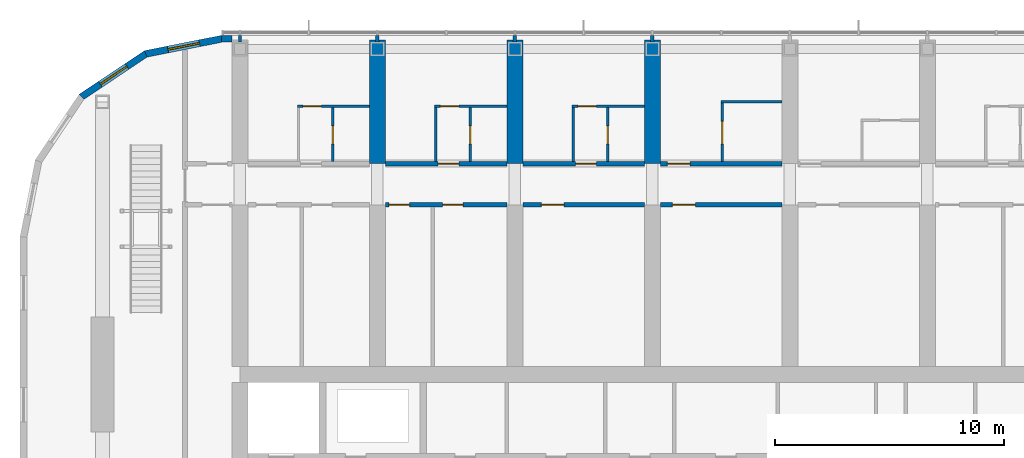
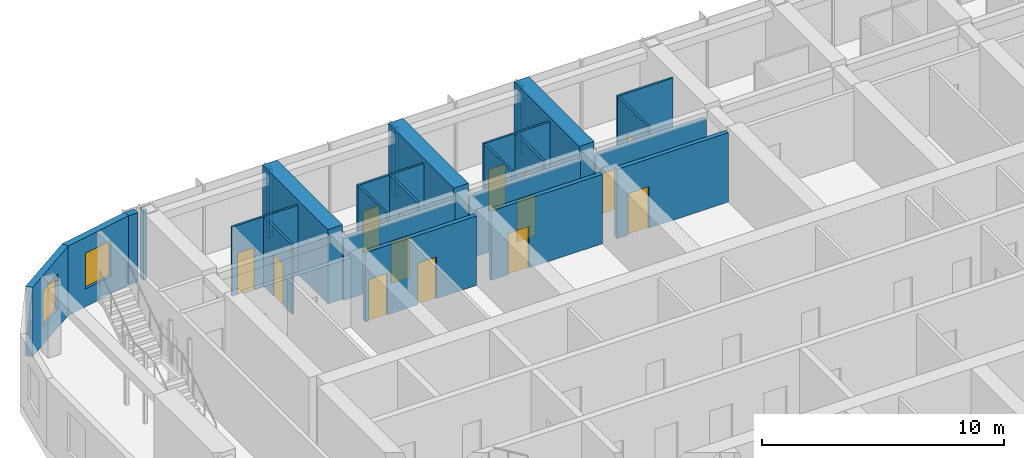
# One storey, part 18 of 27: 26 walls, 14 doors, 2 windows, 16 openings.
"""IFC4 building model written with IfcOpenShell, lengths in metres."""

import ifcopenshell
import ifcopenshell.guid

model = None  # the IFC model being written
_history = None  # IfcOwnerHistory: only IFC2X3 demands one
_inside = {}  # id of a spatial element -> (the spatial element, [elements in it])
_under = {}  # id of a project, library or spatial element -> (it, [spatial elements below it])
_declared = {}  # id of a project -> (the project, [libraries it declares])
_typed = {}  # id of a type object -> (the type object, [elements of that type])
_made_of = {}  # id of a material, layer set ... -> (it, [elements and type objects made of it])


def new_model(schema):
    """Start an empty IFC model of exactly this schema.

    Asked for "IFC4X3", IfcOpenShell would pick the latest addendum, in which some entities
    have other attributes; the version numbers below select the first issue.
    IFC2X3 requires an IfcOwnerHistory on every rooted entity: one is made here for all.
    """
    global model, _history
    if schema == "IFC4X3":
        model = ifcopenshell.file(schema_version=(4, 3, 0, 0))
    else:
        model = ifcopenshell.file(schema=schema)
    _inside.clear()
    _under.clear()
    _declared.clear()
    _typed.clear()
    _made_of.clear()
    _history = None
    if model.schema == "IFC2X3":
        org = make("IfcOrganization", Name="unknown")
        user = make(
            "IfcPersonAndOrganization",
            ThePerson=make("IfcPerson", FamilyName="unknown"),
            TheOrganization=org,
        )
        app = make(
            "IfcApplication",
            ApplicationDeveloper=org,
            Version="unknown",
            ApplicationFullName="unknown",
            ApplicationIdentifier="unknown",
        )
        _history = make(
            "IfcOwnerHistory",
            OwningUser=user,
            OwningApplication=app,
            ChangeAction="ADDED",
            CreationDate=0,
        )
    return model


def make(cls, **values):
    """One entity of the class cls with the attributes given. An attribute that is None is left unset."""
    return model.create_entity(
        cls, **{name: value for name, value in values.items() if value is not None}
    )


def rooted(cls, **values):
    """An entity with a GlobalId (a new one), such as an element, a storey or a relation."""
    return make(cls, GlobalId=ifcopenshell.guid.new(), OwnerHistory=_history, **values)


def si_unit(unit_type, name, prefix=None):
    """IfcSIUnit, for example si_unit("LENGTHUNIT", "METRE", prefix="MILLI")."""
    return make("IfcSIUnit", UnitType=unit_type, Prefix=prefix, Name=name)


def assignment(units):
    """IfcUnitAssignment: the units of a project."""
    return None if units is None else make("IfcUnitAssignment", Units=units)


def point(xyz):
    """IfcCartesianPoint."""
    return None if xyz is None else make("IfcCartesianPoint", Coordinates=xyz)


def direction(xyz):
    """IfcDirection."""
    return None if xyz is None else make("IfcDirection", DirectionRatios=xyz)


def frame(location, z_axis=None, x_axis=None):
    """IfcAxis2Placement3D, a coordinate frame: its origin and axes. An axis left out is left unset."""
    return make(
        "IfcAxis2Placement3D",
        Location=point(location),
        Axis=direction(z_axis),
        RefDirection=direction(x_axis),
    )


def frame_2d(location, x_axis=None):
    """IfcAxis2Placement2D, a coordinate frame in the plane: its origin and x axis."""
    return make(
        "IfcAxis2Placement2D", Location=point(location), RefDirection=direction(x_axis)
    )


def origin():
    """The frame at (0, 0, 0) with its axes left unset."""
    return frame((0.0, 0.0, 0.0))


def place(relative_to, where):
    """IfcLocalPlacement: puts the frame where relative to a parent placement (None: the world)."""
    return make(
        "IfcLocalPlacement", PlacementRelTo=relative_to, RelativePlacement=where
    )


def context(
    kind, dimensions, precision=None, world=None, true_north=None, identifier=None
):
    """IfcGeometricRepresentationContext, for example the 3D "Model" context."""
    return make(
        "IfcGeometricRepresentationContext",
        ContextIdentifier=identifier,
        ContextType=kind,
        CoordinateSpaceDimension=dimensions,
        Precision=precision,
        WorldCoordinateSystem=world,
        TrueNorth=true_north,
    )


def subcontext(parent, identifier, kind, view, scale=None):
    """IfcGeometricRepresentationSubContext, for example "Body" below "Model"."""
    return make(
        "IfcGeometricRepresentationSubContext",
        ContextIdentifier=identifier,
        ContextType=kind,
        ParentContext=parent,
        TargetScale=scale,
        TargetView=view,
    )


def project(units=None, contexts=None):
    """IfcProject with its units and contexts."""
    return rooted(
        "IfcProject",
        Name="project",
        RepresentationContexts=contexts,
        UnitsInContext=assignment(units),
    )


def spatial(cls, under=None, at=None, **own):
    """A site, building, storey or space (cls), placed at a placement, below another one or the project."""
    s = rooted(cls, ObjectPlacement=at, **own)
    if under is not None:
        _under.setdefault(under.id(), (under, []))[1].append(s)
    return s


def polyline(points):
    """IfcPolyline through the points."""
    return make("IfcPolyline", Points=[point(p) for p in points])


def profile(cls, at=None, kind="AREA", **sizes):
    """A parametric profile (cls). Its sizes go by their IFC names, for example OverallWidth=200.0."""
    return make(cls, ProfileType=kind, Position=at, **sizes)


def rectangle(**sizes):
    """IfcRectangleProfileDef."""
    return profile("IfcRectangleProfileDef", **sizes)


def outline(outer, holes=None, kind="AREA"):
    """IfcArbitraryClosedProfileDef: a profile drawn as a closed curve; with holes, ...WithVoids."""
    if holes is None:
        return make("IfcArbitraryClosedProfileDef", ProfileType=kind, OuterCurve=outer)
    return make(
        "IfcArbitraryProfileDefWithVoids",
        ProfileType=kind,
        OuterCurve=outer,
        InnerCurves=holes,
    )


def extrude(swept, where, along, depth):
    """IfcExtrudedAreaSolid: the profile swept, set in the frame where, extruded along a direction by depth."""
    return make(
        "IfcExtrudedAreaSolid",
        SweptArea=swept,
        Position=where,
        ExtrudedDirection=direction(along),
        Depth=depth,
    )


def shape(context_of_items, identifier, shape_type, items):
    """IfcShapeRepresentation: the items that make up one representation, for example the "Body"."""
    return make(
        "IfcShapeRepresentation",
        ContextOfItems=context_of_items,
        RepresentationIdentifier=identifier,
        RepresentationType=shape_type,
        Items=items,
    )


def material(Name=None, Category=None):
    """IfcMaterial."""
    return make("IfcMaterial", Name=Name, Category=Category)


def layer(
    of_material, thickness, ventilated=None, Name=None, Category=None, Priority=None
):
    """IfcMaterialLayer: one layer of a wall or slab, of a material (None: an air gap)."""
    return make(
        "IfcMaterialLayer",
        Material=of_material,
        LayerThickness=thickness,
        IsVentilated=ventilated,
        Name=Name,
        Category=Category,
        Priority=Priority,
    )


def layer_set(layers, Name=None):
    """IfcMaterialLayerSet."""
    return make("IfcMaterialLayerSet", MaterialLayers=layers, LayerSetName=Name)


def made_of(thing, what):
    """Note that an element or type object is made of a material, layer set ...; save() writes the relation."""
    if what is not None:
        _made_of.setdefault(what.id(), (what, []))[1].append(thing)
    return thing


def type_object(cls, material=None, **own):
    """A type object (cls), such as IfcWallType, which elements share."""
    return made_of(rooted(cls, **own), material)


def element(
    cls,
    number,
    at=None,
    inside=None,
    cuts=None,
    type_object=None,
    material=None,
    context=None,
    identifier="Body",
    shape_type=None,
    held_by="IfcProductDefinitionShape",
    body=None,
    shapes=None,
    **own,
):
    """One element of the class cls, such as IfcWall. Its Tag is "e" and its number.

    at: its placement. inside: the storey or other place that contains it. cuts: it is an
    opening in that element (IfcRelVoidsElement). A single representation is given by context,
    identifier, shape_type and body (its items); several are given by shapes. held_by: the class
    of the entity that holds the representations. save() writes the other relations.
    """
    e = rooted(cls, Tag="e%d" % number, ObjectPlacement=at, **own)
    if body is not None:
        shapes = [shape(context, identifier, shape_type, body)]
    if shapes is not None:
        e.Representation = make(held_by, Representations=shapes)
    if inside is not None:
        _inside.setdefault(inside.id(), (inside, []))[1].append(e)
    if cuts is not None:
        rooted(
            "IfcRelVoidsElement", RelatingBuildingElement=cuts, RelatedOpeningElement=e
        )
    if type_object is not None:
        _typed.setdefault(type_object.id(), (type_object, []))[1].append(e)
    return made_of(e, material)


def fill(opening, filler):
    """IfcRelFillsElement: the door or window that sits in an opening."""
    return rooted(
        "IfcRelFillsElement",
        RelatingOpeningElement=opening,
        RelatedBuildingElement=filler,
    )


def aggregate(whole, parts):
    """IfcRelAggregates: a whole, such as a stair, and the parts it consists of."""
    return rooted("IfcRelAggregates", RelatingObject=whole, RelatedObjects=parts)


def save(model, path):
    """Write the relations noted so far, then the file.

    IfcRelAggregates (storeys below a building ...), IfcRelContainedInSpatialStructure (elements
    in a storey), IfcRelDefinesByType, IfcRelAssociatesMaterial and IfcRelDeclares: one each for
    every whole, place, type object, material and project.
    """
    for whole, parts in _under.values():
        aggregate(whole, parts)
    for where, things in _inside.values():
        rooted(
            "IfcRelContainedInSpatialStructure",
            RelatedElements=things,
            RelatingStructure=where,
        )
    for kind, things in _typed.values():
        rooted("IfcRelDefinesByType", RelatedObjects=things, RelatingType=kind)
    for what, things in _made_of.values():
        rooted("IfcRelAssociatesMaterial", RelatedObjects=things, RelatingMaterial=what)
    for by, libraries in _declared.values():
        rooted("IfcRelDeclares", RelatingContext=by, RelatedDefinitions=libraries)
    model.write(path)


model = new_model("IFC4")

# Units and contexts
model_context = context("Model", 3, precision=1e-05, world=origin(), true_north=direction((0.0, 1.0)))
body_context = subcontext(model_context, "Body", "Model", "MODEL_VIEW")
ifc_project = project(units=[si_unit("LENGTHUNIT", "METRE"), si_unit("AREAUNIT", "SQUARE_METRE"), si_unit("VOLUMEUNIT", "CUBIC_METRE"), si_unit("PLANEANGLEUNIT", "RADIAN"), si_unit("MASSUNIT", "GRAM", prefix="KILO")], contexts=[model_context])

# Site, building, storey
site_placement = place(None, origin())
site = spatial("IfcSite", under=ifc_project, at=site_placement, CompositionType="ELEMENT")
building_placement = place(site_placement, origin())
building = spatial("IfcBuilding", under=site, at=building_placement, Name="Orbita Commons", CompositionType="ELEMENT")
storey_placement = place(building_placement, frame((0.0, 0.0, 246.550048828125)))
storey = spatial("IfcBuildingStorey", under=building, at=storey_placement, Name="L61", CompositionType="ELEMENT", Elevation=246.550048828125)

# Wall, opening, door
ifc_material_1 = material(Name="Concrete blockwork", Category="masonry")
ifc_layer_1 = layer(ifc_material_1, 0.199951171875)
ifc_layer_set_1 = layer_set([ifc_layer_1], Name="Concrete blockwork")
wall_type_1 = type_object("IfcWallType", Name="Corridor wall 200 blockwork", PredefinedType="SOLIDWALL", material=ifc_layer_set_1)
wall_1_placement = place(storey_placement, frame((24.35009765625, 47.39990234375, 0.0), z_axis=(0.0, 0.0, 1.0), x_axis=(1.0, 0.0, 0.0)))
wall_1 = element("IfcWall", 1, at=wall_1_placement, inside=storey, type_object=wall_type_1, Name="Corridor wall 200 blockwork L61", PredefinedType="SOLIDWALL", context=body_context, shape_type="SweptSolid", body=[
    extrude(outline(polyline([(0.0, 0.0), (5.2998046875, 0.0), (5.300048828125, 3.099853515625), (0.0, 3.099853515625), (0.0, 0.0)])), frame((0.0, 0.10009765625, 0.0), z_axis=(0.0, -1.0, 0.0), x_axis=(1.0, 0.0, 0.0)), (0.0, 0.0, 1.0), 0.199951171875),
])
opening_1_placement = place(wall_1_placement, frame((2.300048828125, 0.0, 0.0)))
opening_1 = element("IfcOpeningElement", 2, at=opening_1_placement, cuts=wall_1, Name="Opening D11", PredefinedType="OPENING", context=body_context, shape_type="SweptSolid", body=[
    extrude(rectangle(XDim=0.89990234375, YDim=2.10009765625, at=frame_2d((0.449951171875, 1.050048828125))), frame((0.0, 0.10986328125, 0.0), z_axis=(0.0, -1.0, 0.0), x_axis=(1.0, 0.0, 0.0)), (0.0, 0.0, 1.0), 0.219970703125),
])
ifc_material_2 = material(Name="Steel-faced fire door leaf", Category="steel")
door_type_1 = type_object("IfcDoorType", Name="Corridor door 20 min 900x2100", OperationType="SINGLE_SWING_LEFT", PredefinedType="DOOR", material=ifc_material_2)
door_1_placement = place(opening_1_placement, origin())
door_1 = element("IfcDoor", 3, at=door_1_placement, inside=storey, type_object=door_type_1, Name="Studio flat L61-N02 entrance door", OperationType="SINGLE_SWING_LEFT", OverallHeight=2.10009765625, OverallWidth=0.89990234375, PredefinedType="DOOR", context=body_context, shape_type="SweptSolid", body=[
    extrude(rectangle(XDim=0.89990234375, YDim=2.10009765625, at=frame_2d((0.449951171875, 1.050048828125))), frame((0.0, 0.02490234375, 0.0), z_axis=(0.0, -1.0, 0.0), x_axis=(1.0, 0.0, 0.0)), (0.0, 0.0, 1.0), 0.050048828125),
])
fill(opening_1, door_1)

wall_2_placement = place(storey_placement, frame((30.35009765625, 47.39990234375, 0.0), z_axis=(0.0, 0.0, 1.0), x_axis=(1.0, 0.0, 0.0)))
wall_2 = element("IfcWall", 4, at=wall_2_placement, inside=storey, type_object=wall_type_1, Name="Corridor wall 200 blockwork L61", PredefinedType="SOLIDWALL", context=body_context, shape_type="SweptSolid", body=[
    extrude(outline(polyline([(0.0, 0.0), (5.2998046875, 0.0), (5.300048828125, 3.099853515625), (0.0, 3.099853515625), (0.0, 0.0)])), frame((0.0, 0.10009765625, 0.0), z_axis=(0.0, -1.0, 0.0), x_axis=(1.0, 0.0, 0.0)), (0.0, 0.0, 1.0), 0.199951171875),
])
opening_2_placement = place(wall_2_placement, frame((2.300048828125, 0.0, 0.0)))
opening_2 = element("IfcOpeningElement", 5, at=opening_2_placement, cuts=wall_2, Name="Opening D11", PredefinedType="OPENING", context=body_context, shape_type="SweptSolid", body=[
    extrude(rectangle(XDim=0.89990234375, YDim=2.10009765625, at=frame_2d((0.449951171875, 1.050048828125))), frame((0.0, 0.10986328125, 0.0), z_axis=(0.0, -1.0, 0.0), x_axis=(1.0, 0.0, 0.0)), (0.0, 0.0, 1.0), 0.219970703125),
])
door_2_placement = place(opening_2_placement, origin())
door_2 = element("IfcDoor", 6, at=door_2_placement, inside=storey, type_object=door_type_1, Name="Studio flat L61-N04 entrance door", OperationType="SINGLE_SWING_LEFT", OverallHeight=2.10009765625, OverallWidth=0.89990234375, PredefinedType="DOOR", context=body_context, shape_type="SweptSolid", body=[
    extrude(rectangle(XDim=0.89990234375, YDim=2.10009765625, at=frame_2d((0.449951171875, 1.050048828125))), frame((0.0, 0.02490234375, 0.0), z_axis=(0.0, -1.0, 0.0), x_axis=(1.0, 0.0, 0.0)), (0.0, 0.0, 1.0), 0.050048828125),
])
fill(opening_2, door_2)

wall_3_placement = place(storey_placement, frame((36.35009765625, 47.39990234375, 0.0), z_axis=(0.0, 0.0, 1.0), x_axis=(1.0, 0.0, 0.0)))
wall_3 = element("IfcWall", 7, at=wall_3_placement, inside=storey, type_object=wall_type_1, Name="Corridor wall 200 blockwork L61", PredefinedType="SOLIDWALL", context=body_context, shape_type="SweptSolid", body=[
    extrude(outline(polyline([(0.0, 0.0), (5.2998046875, 0.0), (5.300048828125, 3.099853515625), (0.0, 3.099853515625), (0.0, 0.0)])), frame((0.0, 0.10009765625, 0.0), z_axis=(0.0, -1.0, 0.0), x_axis=(1.0, 0.0, 0.0)), (0.0, 0.0, 1.0), 0.199951171875),
])
opening_3_placement = place(wall_3_placement, frame((0.300048828125, 0.0, 0.0)))
opening_3 = element("IfcOpeningElement", 8, at=opening_3_placement, cuts=wall_3, Name="Opening D06", PredefinedType="OPENING", context=body_context, shape_type="SweptSolid", body=[
    extrude(rectangle(XDim=1.0, YDim=2.10009765625, at=frame_2d((0.5, 1.050048828125))), frame((0.0, 0.10986328125, 0.0), z_axis=(0.0, -1.0, 0.0), x_axis=(1.0, 0.0, 0.0)), (0.0, 0.0, 1.0), 0.219970703125),
])
ifc_material_3 = material(Name="Steel-faced fire door leaf", Category="steel")
door_type_2 = type_object("IfcDoorType", Name="Corridor door 20 min 1000x2100", OperationType="SINGLE_SWING_LEFT", PredefinedType="DOOR", material=ifc_material_3)
door_3_placement = place(opening_3_placement, origin())
door_3 = element("IfcDoor", 9, at=door_3_placement, inside=storey, type_object=door_type_2, Name="Accessible bedroom L61-N06 door", OperationType="SINGLE_SWING_LEFT", OverallHeight=2.10009765625, OverallWidth=1.0, PredefinedType="DOOR", context=body_context, shape_type="SweptSolid", body=[
    extrude(rectangle(XDim=1.0, YDim=2.10009765625, at=frame_2d((0.5, 1.050048828125))), frame((0.0, 0.02490234375, 0.0), z_axis=(0.0, -1.0, 0.0), x_axis=(1.0, 0.0, 0.0)), (0.0, 0.0, 1.0), 0.050048828125),
])
fill(opening_3, door_3)

# Wall, openings, doors
ifc_material_4 = material(Name="Hollow concrete block 200", Category="concrete")
ifc_layer_2 = layer(ifc_material_4, 0.199951171875)
ifc_layer_set_2 = layer_set([ifc_layer_2], Name="Hollow concrete block 200")
wall_type_2 = type_object("IfcWallType", Name="Corridor wall 200 hollow concrete block", PredefinedType="SOLIDWALL", material=ifc_layer_set_2)
wall_4_placement = place(storey_placement, frame((24.35009765625, 45.60009765625, 0.0), z_axis=(0.0, 0.0, 1.0), x_axis=(1.0, 0.0, 0.0)))
wall_4 = element("IfcWall", 10, at=wall_4_placement, inside=storey, type_object=wall_type_2, Name="Corridor wall 200 hollow concrete block L61", PredefinedType="SOLIDWALL", context=body_context, shape_type="SweptSolid", body=[
    extrude(rectangle(XDim=5.2998046875, YDim=0.199951171875, at=frame_2d((2.64990234375, 0.0))), origin(), (0.0, 0.0, 1.0), 3.5),
])
opening_4_placement = place(wall_4_placement, frame((0.14990234375, 0.0, 0.0)))
opening_4 = element("IfcOpeningElement", 11, at=opening_4_placement, cuts=wall_4, Name="Opening D11", PredefinedType="OPENING", context=body_context, shape_type="SweptSolid", body=[
    extrude(rectangle(XDim=0.89990234375, YDim=2.10009765625, at=frame_2d((0.449951171875, 1.050048828125))), frame((0.0, 0.10986328125, 0.0), z_axis=(0.0, -1.0, 0.0), x_axis=(1.0, 0.0, 0.0)), (0.0, 0.0, 1.0), 0.219970703125),
])
opening_5_placement = place(wall_4_placement, frame((2.489990234375, 0.0, 0.0)))
opening_5 = element("IfcOpeningElement", 12, at=opening_5_placement, cuts=wall_4, Name="Opening D11", PredefinedType="OPENING", context=body_context, shape_type="SweptSolid", body=[
    extrude(rectangle(XDim=0.89990234375, YDim=2.10009765625, at=frame_2d((0.449951171875, 1.050048828125))), frame((0.0, 0.10986328125, 0.0), z_axis=(0.0, -1.0, 0.0), x_axis=(1.0, 0.0, 0.0)), (0.0, 0.0, 1.0), 0.219970703125),
])
door_4_placement = place(opening_4_placement, origin())
door_4 = element("IfcDoor", 13, at=door_4_placement, inside=storey, type_object=door_type_1, Name="Riser access cupboard L61-BDN24n door", OperationType="SINGLE_SWING_LEFT", OverallHeight=2.10009765625, OverallWidth=0.89990234375, PredefinedType="DOOR", context=body_context, shape_type="SweptSolid", body=[
    extrude(rectangle(XDim=0.89990234375, YDim=2.10009765625, at=frame_2d((0.449951171875, 1.050048828125))), frame((0.0, 0.02490234375, 0.0), z_axis=(0.0, -1.0, 0.0), x_axis=(1.0, 0.0, 0.0)), (0.0, 0.0, 1.0), 0.050048828125),
])
fill(opening_4, door_4)
door_5_placement = place(opening_5_placement, origin())
door_5 = element("IfcDoor", 14, at=door_5_placement, inside=storey, type_object=door_type_1, Name="Ventilation plant room north L61-BDN24 door", OperationType="SINGLE_SWING_LEFT", OverallHeight=2.10009765625, OverallWidth=0.89990234375, PredefinedType="DOOR", context=body_context, shape_type="SweptSolid", body=[
    extrude(rectangle(XDim=0.89990234375, YDim=2.10009765625, at=frame_2d((0.449951171875, 1.050048828125))), frame((0.0, 0.02490234375, 0.0), z_axis=(0.0, -1.0, 0.0), x_axis=(1.0, 0.0, 0.0)), (0.0, 0.0, 1.0), 0.050048828125),
])
fill(opening_5, door_5)

# Wall, opening, door
wall_5_placement = place(storey_placement, frame((30.35009765625, 45.60009765625, 0.0), z_axis=(0.0, 0.0, 1.0), x_axis=(1.0, 0.0, 0.0)))
wall_5 = element("IfcWall", 15, at=wall_5_placement, inside=storey, type_object=wall_type_2, Name="Corridor wall 200 hollow concrete block L61", PredefinedType="SOLIDWALL", context=body_context, shape_type="SweptSolid", body=[
    extrude(rectangle(XDim=5.2998046875, YDim=0.199951171875, at=frame_2d((2.64990234375, 0.0))), origin(), (0.0, 0.0, 1.0), 3.5),
])
opening_6_placement = place(wall_5_placement, frame((0.800048828125, 0.0, 0.0)))
opening_6 = element("IfcOpeningElement", 16, at=opening_6_placement, cuts=wall_5, Name="Opening D06", PredefinedType="OPENING", context=body_context, shape_type="SweptSolid", body=[
    extrude(rectangle(XDim=1.0, YDim=2.10009765625, at=frame_2d((0.5, 1.050048828125))), frame((0.0, 0.10986328125, 0.0), z_axis=(0.0, -1.0, 0.0), x_axis=(1.0, 0.0, 0.0)), (0.0, 0.0, 1.0), 0.219970703125),
])
door_6_placement = place(opening_6_placement, origin())
door_6 = element("IfcDoor", 17, at=door_6_placement, inside=storey, type_object=door_type_2, Name="Linen store L61-BDN30 door", OperationType="SINGLE_SWING_LEFT", OverallHeight=2.10009765625, OverallWidth=1.0, PredefinedType="DOOR", context=body_context, shape_type="SweptSolid", body=[
    extrude(rectangle(XDim=1.0, YDim=2.10009765625, at=frame_2d((0.5, 1.050048828125))), frame((0.0, 0.02490234375, 0.0), z_axis=(0.0, -1.0, 0.0), x_axis=(1.0, 0.0, 0.0)), (0.0, 0.0, 1.0), 0.050048828125),
])
fill(opening_6, door_6)

wall_6_placement = place(storey_placement, frame((36.35009765625, 45.60009765625, 0.0), z_axis=(0.0, 0.0, 1.0), x_axis=(1.0, 0.0, 0.0)))
wall_6 = element("IfcWall", 18, at=wall_6_placement, inside=storey, type_object=wall_type_2, Name="Corridor wall 200 hollow concrete block L61", PredefinedType="SOLIDWALL", context=body_context, shape_type="SweptSolid", body=[
    extrude(rectangle(XDim=5.2998046875, YDim=0.199951171875, at=frame_2d((2.64990234375, 0.0))), origin(), (0.0, 0.0, 1.0), 3.5),
])
opening_7_placement = place(wall_6_placement, frame((0.52490234375, 0.0, 0.0)))
opening_7 = element("IfcOpeningElement", 19, at=opening_7_placement, cuts=wall_6, Name="Opening D06", PredefinedType="OPENING", context=body_context, shape_type="SweptSolid", body=[
    extrude(rectangle(XDim=1.0, YDim=2.10009765625, at=frame_2d((0.5, 1.050048828125))), frame((0.0, 0.10986328125, 0.0), z_axis=(0.0, -1.0, 0.0), x_axis=(1.0, 0.0, 0.0)), (0.0, 0.0, 1.0), 0.219970703125),
])
door_7_placement = place(opening_7_placement, origin())
door_7 = element("IfcDoor", 20, at=door_7_placement, inside=storey, type_object=door_type_2, Name="Pantry L61-BDN36 door", OperationType="SINGLE_SWING_LEFT", OverallHeight=2.10009765625, OverallWidth=1.0, PredefinedType="DOOR", context=body_context, shape_type="SweptSolid", body=[
    extrude(rectangle(XDim=1.0, YDim=2.10009765625, at=frame_2d((0.5, 1.050048828125))), frame((0.0, 0.02490234375, 0.0), z_axis=(0.0, -1.0, 0.0), x_axis=(1.0, 0.0, 0.0)), (0.0, 0.0, 1.0), 0.050048828125),
])
fill(opening_7, door_7)

# Walls
ifc_material_5 = material(Name="Concrete C50/60", Category="concrete")
ifc_layer_3 = layer(ifc_material_5, 0.699951171875)
ifc_layer_set_3 = layer_set([ifc_layer_3], Name="Concrete C50/60")
wall_type_3 = type_object("IfcWallType", Name="Cross wall 700 C50/60", PredefinedType="SHEAR", material=ifc_layer_set_3)
for number, where, z_axis, x_axis, name in (
    (21, (24.0, 47.39990234375, 0.0), (0.0, 0.0, 1.0), (0.0, 1.0, 0.0), "Cross wall 5 north outer L61"),
    (22, (30.0, 47.39990234375, 0.0), (0.0, 0.0, 1.0), (0.0, 1.0, 0.0), "Cross wall 6 north outer L61"),
    (23, (36.0, 47.39990234375, 0.0), (0.0, 0.0, 1.0), (0.0, 1.0, 0.0), "Cross wall 7 north outer L61"),
):
    element("IfcWall", number, at=place(storey_placement, frame(where, z_axis=z_axis, x_axis=x_axis)), inside=storey, type_object=wall_type_3, Name=name, PredefinedType="SHEAR", context=body_context, shape_type="SweptSolid", body=[
        extrude(rectangle(XDim=5.400146484375, YDim=0.699951171875, at=frame_2d((2.7001953125, 0.0))), origin(), (0.0, 0.0, 1.0), 3.75),
    ])

# Wall, opening, door
ifc_material_6 = material(Name="Moisture-resistant plasterboard on steel studs", Category="steel")
ifc_layer_4 = layer(ifc_material_6, 0.10009765625)
ifc_layer_set_4 = layer_set([ifc_layer_4], Name="Moisture-resistant plasterboard on steel studs")
wall_type_4 = type_object("IfcWallType", Name="En-suite partition 100", PredefinedType="PARTITIONING", material=ifc_layer_set_4)
wall_7_placement = place(storey_placement, frame((20.5, 49.89990234375, 0.0), z_axis=(0.0, 0.0, 1.0), x_axis=(1.0, 0.0, 0.0)))
wall_7 = element("IfcWall", 24, at=wall_7_placement, inside=storey, type_object=wall_type_4, Name="En-suite partition 100 L61", PredefinedType="PARTITIONING", context=body_context, shape_type="SweptSolid", body=[
    extrude(rectangle(XDim=3.14990234375, YDim=0.10009765625, at=frame_2d((1.574951171875, 0.0))), origin(), (0.0, 0.0, 1.0), 3.5),
])
opening_8_placement = place(wall_7_placement, frame((0.25, 0.0, 0.0)))
opening_8 = element("IfcOpeningElement", 25, at=opening_8_placement, cuts=wall_7, Name="Opening D16", PredefinedType="OPENING", context=body_context, shape_type="SweptSolid", body=[
    extrude(rectangle(XDim=0.800048828125, YDim=2.10009765625, at=frame_2d((0.39990234375, 1.050048828125))), frame((0.0, 0.06005859375, 0.0), z_axis=(0.0, -1.0, 0.0), x_axis=(1.0, 0.0, 0.0)), (0.0, 0.0, 1.0), 0.1201171875),
])
ifc_material_7 = material(Name="Laminated timber door leaf", Category="wood")
door_type_3 = type_object("IfcDoorType", Name="En-suite door 800x2100", OperationType="SINGLE_SWING_RIGHT", PredefinedType="DOOR", material=ifc_material_7)
door_8_placement = place(opening_8_placement, origin())
door_8 = element("IfcDoor", 26, at=door_8_placement, inside=storey, type_object=door_type_3, Name="Studio flat L61-N00 door", OperationType="SINGLE_SWING_RIGHT", OverallHeight=2.10009765625, OverallWidth=0.800048828125, PredefinedType="DOOR", context=body_context, shape_type="SweptSolid", body=[
    extrude(rectangle(XDim=0.800048828125, YDim=2.10009765625, at=frame_2d((0.39990234375, 1.050048828125))), frame((0.0, 0.02490234375, 0.0), z_axis=(0.0, -1.0, 0.0), x_axis=(1.0, 0.0, 0.0)), (0.0, 0.0, 1.0), 0.050048828125),
])
fill(opening_8, door_8)

wall_8_placement = place(storey_placement, frame((22.050048828125, 49.85009765625, 0.0), z_axis=(0.0, 0.0, 1.0), x_axis=(0.0, -1.0, 0.0)))
wall_8 = element("IfcWall", 27, at=wall_8_placement, inside=storey, type_object=wall_type_4, Name="En-suite partition 100 L61", PredefinedType="PARTITIONING", context=body_context, shape_type="SweptSolid", body=[
    extrude(outline(polyline([(0.0, 0.0), (2.35009765625, 0.0), (2.35009765625, 3.099853515625), (2.302001953125, 3.099853515625), (2.300048828125, 3.5), (0.0, 3.5), (0.0, 0.0)])), frame((0.0, 0.050048828125, 0.0), z_axis=(0.0, -1.0, 0.0), x_axis=(1.0, 0.0, 0.0)), (0.0, 0.0, 1.0), 0.10009765625),
])
opening_9_placement = place(wall_8_placement, frame((0.800048828125, 0.0, 0.0)))
opening_9 = element("IfcOpeningElement", 28, at=opening_9_placement, cuts=wall_8, Name="Opening D16", PredefinedType="OPENING", context=body_context, shape_type="SweptSolid", body=[
    extrude(rectangle(XDim=0.800048828125, YDim=2.10009765625, at=frame_2d((0.39990234375, 1.050048828125))), frame((0.0, 0.06005859375, 0.0), z_axis=(0.0, -1.0, 0.0), x_axis=(1.0, 0.0, 0.0)), (0.0, 0.0, 1.0), 0.1201171875),
])
door_9_placement = place(opening_9_placement, origin())
door_9 = element("IfcDoor", 29, at=door_9_placement, inside=storey, type_object=door_type_3, Name="Studio flat shower room L61-N00 door", OperationType="SINGLE_SWING_RIGHT", OverallHeight=2.10009765625, OverallWidth=0.800048828125, PredefinedType="DOOR", context=body_context, shape_type="SweptSolid", body=[
    extrude(rectangle(XDim=0.800048828125, YDim=2.10009765625, at=frame_2d((0.39990234375, 1.050048828125))), frame((0.0, 0.02490234375, 0.0), z_axis=(0.0, -1.0, 0.0), x_axis=(1.0, 0.0, 0.0)), (0.0, 0.0, 1.0), 0.050048828125),
])
fill(opening_9, door_9)

wall_9_placement = place(storey_placement, frame((26.5, 49.89990234375, 0.0), z_axis=(0.0, 0.0, 1.0), x_axis=(1.0, 0.0, 0.0)))
wall_9 = element("IfcWall", 30, at=wall_9_placement, inside=storey, type_object=wall_type_4, Name="En-suite partition 100 L61", PredefinedType="PARTITIONING", context=body_context, shape_type="SweptSolid", body=[
    extrude(rectangle(XDim=3.14990234375, YDim=0.10009765625, at=frame_2d((1.574951171875, 0.0))), origin(), (0.0, 0.0, 1.0), 3.5),
])
opening_10_placement = place(wall_9_placement, frame((0.25, 0.0, 0.0)))
opening_10 = element("IfcOpeningElement", 31, at=opening_10_placement, cuts=wall_9, Name="Opening D16", PredefinedType="OPENING", context=body_context, shape_type="SweptSolid", body=[
    extrude(rectangle(XDim=0.800048828125, YDim=2.10009765625, at=frame_2d((0.39990234375, 1.050048828125))), frame((0.0, 0.06005859375, 0.0), z_axis=(0.0, -1.0, 0.0), x_axis=(1.0, 0.0, 0.0)), (0.0, 0.0, 1.0), 0.1201171875),
])
door_10_placement = place(opening_10_placement, origin())
door_10 = element("IfcDoor", 32, at=door_10_placement, inside=storey, type_object=door_type_3, Name="Studio flat L61-N02 door", OperationType="SINGLE_SWING_RIGHT", OverallHeight=2.10009765625, OverallWidth=0.800048828125, PredefinedType="DOOR", context=body_context, shape_type="SweptSolid", body=[
    extrude(rectangle(XDim=0.800048828125, YDim=2.10009765625, at=frame_2d((0.39990234375, 1.050048828125))), frame((0.0, 0.02490234375, 0.0), z_axis=(0.0, -1.0, 0.0), x_axis=(1.0, 0.0, 0.0)), (0.0, 0.0, 1.0), 0.050048828125),
])
fill(opening_10, door_10)

# Wall
wall_10_placement = place(storey_placement, frame((26.550048828125, 49.85009765625, 0.0), z_axis=(0.0, 0.0, 1.0), x_axis=(0.0, -1.0, 0.0)))
element("IfcWall", 33, at=wall_10_placement, inside=storey, type_object=wall_type_4, Name="En-suite partition 100 L61", PredefinedType="PARTITIONING", context=body_context, shape_type="SweptSolid", body=[
    extrude(outline(polyline([(0.0, 0.0), (2.35009765625, 0.0), (2.35009765625, 3.099853515625), (2.302001953125, 3.099853515625), (2.300048828125, 3.5), (0.0, 3.5), (0.0, 0.0)])), frame((0.0, 0.050048828125, 0.0), z_axis=(0.0, -1.0, 0.0), x_axis=(1.0, 0.0, 0.0)), (0.0, 0.0, 1.0), 0.10009765625),
])

# Wall, opening, door
wall_11_placement = place(storey_placement, frame((28.050048828125, 49.85009765625, 0.0), z_axis=(0.0, 0.0, 1.0), x_axis=(0.0, -1.0, 0.0)))
wall_11 = element("IfcWall", 34, at=wall_11_placement, inside=storey, type_object=wall_type_4, Name="En-suite partition 100 L61", PredefinedType="PARTITIONING", context=body_context, shape_type="SweptSolid", body=[
    extrude(outline(polyline([(0.0, 0.0), (2.35009765625, 0.0), (2.35009765625, 3.099853515625), (2.302001953125, 3.099853515625), (2.300048828125, 3.5), (0.0, 3.5), (0.0, 0.0)])), frame((0.0, 0.050048828125, 0.0), z_axis=(0.0, -1.0, 0.0), x_axis=(1.0, 0.0, 0.0)), (0.0, 0.0, 1.0), 0.10009765625),
])
opening_11_placement = place(wall_11_placement, frame((0.800048828125, 0.0, 0.0)))
opening_11 = element("IfcOpeningElement", 35, at=opening_11_placement, cuts=wall_11, Name="Opening D16", PredefinedType="OPENING", context=body_context, shape_type="SweptSolid", body=[
    extrude(rectangle(XDim=0.800048828125, YDim=2.10009765625, at=frame_2d((0.39990234375, 1.050048828125))), frame((0.0, 0.06005859375, 0.0), z_axis=(0.0, -1.0, 0.0), x_axis=(1.0, 0.0, 0.0)), (0.0, 0.0, 1.0), 0.1201171875),
])
door_11_placement = place(opening_11_placement, origin())
door_11 = element("IfcDoor", 36, at=door_11_placement, inside=storey, type_object=door_type_3, Name="Studio flat shower room L61-N02 door", OperationType="SINGLE_SWING_RIGHT", OverallHeight=2.10009765625, OverallWidth=0.800048828125, PredefinedType="DOOR", context=body_context, shape_type="SweptSolid", body=[
    extrude(rectangle(XDim=0.800048828125, YDim=2.10009765625, at=frame_2d((0.39990234375, 1.050048828125))), frame((0.0, 0.02490234375, 0.0), z_axis=(0.0, -1.0, 0.0), x_axis=(1.0, 0.0, 0.0)), (0.0, 0.0, 1.0), 0.050048828125),
])
fill(opening_11, door_11)

wall_12_placement = place(storey_placement, frame((32.5, 49.89990234375, 0.0), z_axis=(0.0, 0.0, 1.0), x_axis=(1.0, 0.0, 0.0)))
wall_12 = element("IfcWall", 37, at=wall_12_placement, inside=storey, type_object=wall_type_4, Name="En-suite partition 100 L61", PredefinedType="PARTITIONING", context=body_context, shape_type="SweptSolid", body=[
    extrude(rectangle(XDim=3.14990234375, YDim=0.10009765625, at=frame_2d((1.574951171875, 0.0))), origin(), (0.0, 0.0, 1.0), 3.5),
])
opening_12_placement = place(wall_12_placement, frame((0.25, 0.0, 0.0)))
opening_12 = element("IfcOpeningElement", 38, at=opening_12_placement, cuts=wall_12, Name="Opening D16", PredefinedType="OPENING", context=body_context, shape_type="SweptSolid", body=[
    extrude(rectangle(XDim=0.800048828125, YDim=2.10009765625, at=frame_2d((0.39990234375, 1.050048828125))), frame((0.0, 0.06005859375, 0.0), z_axis=(0.0, -1.0, 0.0), x_axis=(1.0, 0.0, 0.0)), (0.0, 0.0, 1.0), 0.1201171875),
])
door_12_placement = place(opening_12_placement, origin())
door_12 = element("IfcDoor", 39, at=door_12_placement, inside=storey, type_object=door_type_3, Name="Studio flat L61-N04 door", OperationType="SINGLE_SWING_RIGHT", OverallHeight=2.10009765625, OverallWidth=0.800048828125, PredefinedType="DOOR", context=body_context, shape_type="SweptSolid", body=[
    extrude(rectangle(XDim=0.800048828125, YDim=2.10009765625, at=frame_2d((0.39990234375, 1.050048828125))), frame((0.0, 0.02490234375, 0.0), z_axis=(0.0, -1.0, 0.0), x_axis=(1.0, 0.0, 0.0)), (0.0, 0.0, 1.0), 0.050048828125),
])
fill(opening_12, door_12)

# Wall
wall_13_placement = place(storey_placement, frame((32.550048828125, 49.85009765625, 0.0), z_axis=(0.0, 0.0, 1.0), x_axis=(0.0, -1.0, 0.0)))
element("IfcWall", 40, at=wall_13_placement, inside=storey, type_object=wall_type_4, Name="En-suite partition 100 L61", PredefinedType="PARTITIONING", context=body_context, shape_type="SweptSolid", body=[
    extrude(outline(polyline([(0.0, 0.0), (2.35009765625, 0.0), (2.35009765625, 3.099853515625), (2.302001953125, 3.099853515625), (2.300048828125, 3.5), (0.0, 3.5), (0.0, 0.0)])), frame((0.0, 0.050048828125, 0.0), z_axis=(0.0, -1.0, 0.0), x_axis=(1.0, 0.0, 0.0)), (0.0, 0.0, 1.0), 0.10009765625),
])

# Wall, opening, door
wall_14_placement = place(storey_placement, frame((34.050048828125, 49.85009765625, 0.0), z_axis=(0.0, 0.0, 1.0), x_axis=(0.0, -1.0, 0.0)))
wall_14 = element("IfcWall", 41, at=wall_14_placement, inside=storey, type_object=wall_type_4, Name="En-suite partition 100 L61", PredefinedType="PARTITIONING", context=body_context, shape_type="SweptSolid", body=[
    extrude(outline(polyline([(0.0, 0.0), (2.35009765625, 0.0), (2.35009765625, 3.099853515625), (2.302001953125, 3.099853515625), (2.300048828125, 3.5), (0.0, 3.5), (0.0, 0.0)])), frame((0.0, 0.050048828125, 0.0), z_axis=(0.0, -1.0, 0.0), x_axis=(1.0, 0.0, 0.0)), (0.0, 0.0, 1.0), 0.10009765625),
])
opening_13_placement = place(wall_14_placement, frame((0.800048828125, 0.0, 0.0)))
opening_13 = element("IfcOpeningElement", 42, at=opening_13_placement, cuts=wall_14, Name="Opening D16", PredefinedType="OPENING", context=body_context, shape_type="SweptSolid", body=[
    extrude(rectangle(XDim=0.800048828125, YDim=2.10009765625, at=frame_2d((0.39990234375, 1.050048828125))), frame((0.0, 0.06005859375, 0.0), z_axis=(0.0, -1.0, 0.0), x_axis=(1.0, 0.0, 0.0)), (0.0, 0.0, 1.0), 0.1201171875),
])
door_13_placement = place(opening_13_placement, origin())
door_13 = element("IfcDoor", 43, at=door_13_placement, inside=storey, type_object=door_type_3, Name="Studio flat shower room L61-N04 door", OperationType="SINGLE_SWING_RIGHT", OverallHeight=2.10009765625, OverallWidth=0.800048828125, PredefinedType="DOOR", context=body_context, shape_type="SweptSolid", body=[
    extrude(rectangle(XDim=0.800048828125, YDim=2.10009765625, at=frame_2d((0.39990234375, 1.050048828125))), frame((0.0, 0.02490234375, 0.0), z_axis=(0.0, -1.0, 0.0), x_axis=(1.0, 0.0, 0.0)), (0.0, 0.0, 1.0), 0.050048828125),
])
fill(opening_13, door_13)

# Wall
wall_15_placement = place(storey_placement, frame((39.0, 50.10009765625, 0.0), z_axis=(0.0, 0.0, 1.0), x_axis=(1.0, 0.0, 0.0)))
element("IfcWall", 44, at=wall_15_placement, inside=storey, type_object=wall_type_4, Name="En-suite partition 100 L61", PredefinedType="PARTITIONING", context=body_context, shape_type="SweptSolid", body=[
    extrude(rectangle(XDim=2.64990234375, YDim=0.10009765625, at=frame_2d((1.324951171875, 0.0))), origin(), (0.0, 0.0, 1.0), 3.5),
])

# Wall, opening, door
wall_16_placement = place(storey_placement, frame((39.050048828125, 50.050048828125, 0.0), z_axis=(0.0, 0.0, 1.0), x_axis=(0.0, -1.0, 0.0)))
wall_16 = element("IfcWall", 45, at=wall_16_placement, inside=storey, type_object=wall_type_4, Name="En-suite partition 100 L61", PredefinedType="PARTITIONING", context=body_context, shape_type="SweptSolid", body=[
    extrude(outline(polyline([(0.0, 0.0), (2.550048828125, 0.0), (2.550048828125, 3.099853515625), (2.501953125, 3.099853515625), (2.5, 3.5), (0.0, 3.5), (0.0, 0.0)])), frame((0.0, 0.050048828125, 0.0), z_axis=(0.0, -1.0, 0.0), x_axis=(1.0, 0.0, 0.0)), (0.0, 0.0, 1.0), 0.10009765625),
])
opening_14_placement = place(wall_16_placement, frame((0.800048828125, 0.0, 0.0)))
opening_14 = element("IfcOpeningElement", 46, at=opening_14_placement, cuts=wall_16, Name="Opening D13", PredefinedType="OPENING", context=body_context, shape_type="SweptSolid", body=[
    extrude(rectangle(XDim=1.0, YDim=2.10009765625, at=frame_2d((0.5, 1.050048828125))), frame((0.0, 0.06005859375, 0.0), z_axis=(0.0, -1.0, 0.0), x_axis=(1.0, 0.0, 0.0)), (0.0, 0.0, 1.0), 0.1201171875),
])
ifc_material_8 = material(Name="Laminated timber door leaf", Category="wood")
door_type_4 = type_object("IfcDoorType", Name="En-suite door 1000x2100", OperationType="SINGLE_SWING_RIGHT", PredefinedType="DOOR", material=ifc_material_8)
door_14_placement = place(opening_14_placement, origin())
door_14 = element("IfcDoor", 47, at=door_14_placement, inside=storey, type_object=door_type_4, Name="Accessible shower room L61-N06 door", OperationType="SINGLE_SWING_RIGHT", OverallHeight=2.10009765625, OverallWidth=1.0, PredefinedType="DOOR", context=body_context, shape_type="SweptSolid", body=[
    extrude(rectangle(XDim=1.0, YDim=2.10009765625, at=frame_2d((0.5, 1.050048828125))), frame((0.0, 0.02490234375, 0.0), z_axis=(0.0, -1.0, 0.0), x_axis=(1.0, 0.0, 0.0)), (0.0, 0.0, 1.0), 0.050048828125),
])
fill(opening_14, door_14)

# Walls
ifc_material_9 = material(Name="Gypsum plasterboard on steel studs", Category="steel")
ifc_layer_5 = layer(ifc_material_9, 0.14990234375)
ifc_layer_set_5 = layer_set([ifc_layer_5], Name="Gypsum plasterboard on steel studs")
wall_type_5 = type_object("IfcWallType", Name="Partition 150 plasterboard", PredefinedType="PARTITIONING", material=ifc_layer_set_5)
for number, where, z_axis, x_axis, name in (
    (48, (18.0, 52.699951171875, 0.0), (0.0, 0.0, 1.0), (0.0, 1.0, 0.0), "Partition 150 plasterboard L61"),
    (49, (24.0, 52.699951171875, 0.0), (0.0, 0.0, 1.0), (0.0, 1.0, 0.0), "Partition 150 plasterboard L61"),
    (50, (30.0, 52.699951171875, 0.0), (0.0, 0.0, 1.0), (0.0, 1.0, 0.0), "Partition 150 plasterboard L61"),
    (51, (36.0, 52.699951171875, 0.0), (0.0, 0.0, 1.0), (0.0, 1.0, 0.0), "Partition 150 plasterboard L61"),
):
    element("IfcWall", number, at=place(storey_placement, frame(where, z_axis=z_axis, x_axis=x_axis)), inside=storey, type_object=wall_type_5, Name=name, PredefinedType="PARTITIONING", context=body_context, shape_type="SweptSolid", body=[
        extrude(rectangle(XDim=0.2900390625, YDim=0.14990234375, at=frame_2d((0.14501953125, 0.0))), origin(), (0.0, 0.0, 1.0), 3.5),
    ])

# Wall, opening, window
ifc_material_10 = material(Name="Precast concrete C40/50, white board-marked finish", Category="concrete")
ifc_layer_6 = layer(ifc_material_10, 0.300048828125)
ifc_layer_set_6 = layer_set([ifc_layer_6], Name="Precast concrete C40/50, white board-marked finish")
wall_type_6 = type_object("IfcWallType", Name="Precast concrete end shield 300", PredefinedType="SOLIDWALL", material=ifc_layer_set_6)
wall_17_placement = place(storey_placement, frame((17.199951171875, 52.85009765625, 0.0), z_axis=(0.0, 0.0, 1.0), x_axis=(-0.98078325777, -0.195100490205, 0.0)))
wall_17 = element("IfcWall", 52, at=wall_17_placement, inside=storey, type_object=wall_type_6, Name="End shield NW chord 1 L61", PredefinedType="SOLIDWALL", context=body_context, shape_type="SweptSolid", body=[
    extrude(outline(polyline([(-0.02978515625, -0.14990234375), (3.40478515625, -0.14990234375), (3.34521484375, 0.14990234375), (0.02978515625, 0.14990234375), (-0.02978515625, -0.14990234375)])), origin(), (0.0, 0.0, 1.0), 3.5),
])
opening_15_placement = place(wall_17_placement, frame((0.987548828125, 0.0, 0.89990234375)))
opening_15 = element("IfcOpeningElement", 53, at=opening_15_placement, cuts=wall_17, Name="Opening W02", PredefinedType="OPENING", context=body_context, shape_type="SweptSolid", body=[
    extrude(rectangle(XDim=1.39990234375, YDim=1.800048828125, at=frame_2d((0.699951171875, 0.89990234375))), frame((0.0, 0.159912109375, 0.0), z_axis=(0.0, -1.0, 0.0), x_axis=(1.0, 0.0, 0.0)), (0.0, 0.0, 1.0), 0.320068359375),
])
ifc_material_11 = material(Name="Aluminium frame, clear double glazing", Category="aluminium")
window_type = type_object("IfcWindowType", Name="Deep-set window 1400x1800", PartitioningType="SINGLE_PANEL", PredefinedType="WINDOW", material=ifc_material_11)
window_1_placement = place(opening_15_placement, origin())
window_1 = element("IfcWindow", 54, at=window_1_placement, inside=storey, type_object=window_type, Name="Window L61-NW0", OverallHeight=1.800048828125, OverallWidth=1.39990234375, PartitioningType="SINGLE_PANEL", PredefinedType="WINDOW", context=body_context, shape_type="SweptSolid", body=[
    extrude(rectangle(XDim=1.39990234375, YDim=1.800048828125, at=frame_2d((0.699951171875, 0.89990234375))), frame((0.0, 0.030029296875, 0.0), z_axis=(0.0, -1.0, 0.0), x_axis=(1.0, 0.0, 0.0)), (0.0, 0.0, 1.0), 0.06005859375),
])
fill(opening_15, window_1)

wall_18_placement = place(storey_placement, frame((13.889892578125, 52.191650390625, 0.0), z_axis=(0.0, 0.0, 1.0), x_axis=(-0.831460037396, -0.555584562613, 0.0)))
wall_18 = element("IfcWall", 55, at=wall_18_placement, inside=storey, type_object=wall_type_6, Name="End shield NW chord 2 L61", PredefinedType="SOLIDWALL", context=body_context, shape_type="SweptSolid", body=[
    extrude(outline(polyline([(-0.02978515625, -0.14990234375), (3.405029296875, -0.14990234375), (3.345458984375, 0.14990234375), (0.02978515625, 0.14990234375), (-0.02978515625, -0.14990234375)])), origin(), (0.0, 0.0, 1.0), 3.5),
])
opening_16_placement = place(wall_18_placement, frame((0.987548828125, 0.0, 0.89990234375)))
opening_16 = element("IfcOpeningElement", 56, at=opening_16_placement, cuts=wall_18, Name="Opening W02", PredefinedType="OPENING", context=body_context, shape_type="SweptSolid", body=[
    extrude(rectangle(XDim=1.39990234375, YDim=1.800048828125, at=frame_2d((0.699951171875, 0.89990234375))), frame((0.0, 0.159912109375, 0.0), z_axis=(0.0, -1.0, 0.0), x_axis=(1.0, 0.0, 0.0)), (0.0, 0.0, 1.0), 0.320068359375),
])
window_2_placement = place(opening_16_placement, origin())
window_2 = element("IfcWindow", 57, at=window_2_placement, inside=storey, type_object=window_type, Name="Window L61-NW1", OverallHeight=1.800048828125, OverallWidth=1.39990234375, PartitioningType="SINGLE_PANEL", PredefinedType="WINDOW", context=body_context, shape_type="SweptSolid", body=[
    extrude(rectangle(XDim=1.39990234375, YDim=1.800048828125, at=frame_2d((0.699951171875, 0.89990234375))), frame((0.0, 0.030029296875, 0.0), z_axis=(0.0, -1.0, 0.0), x_axis=(1.0, 0.0, 0.0)), (0.0, 0.0, 1.0), 0.06005859375),
])
fill(opening_16, window_2)

# Wall
wall_19_placement = place(storey_placement, frame((17.199951171875, 52.85009765625, 0.0), z_axis=(0.0, 0.0, 1.0), x_axis=(1.0, 0.0, 0.0)))
element("IfcWall", 58, at=wall_19_placement, inside=storey, type_object=wall_type_6, Name="End shield NW closer L61", PredefinedType="SOLIDWALL", context=body_context, shape_type="SweptSolid", body=[
    extrude(rectangle(XDim=0.449951171875, YDim=0.300048828125, at=frame_2d((0.22509765625, 0.0))), origin(), (0.0, 0.0, 1.0), 3.5),
])

save(model, "model.ifc")
